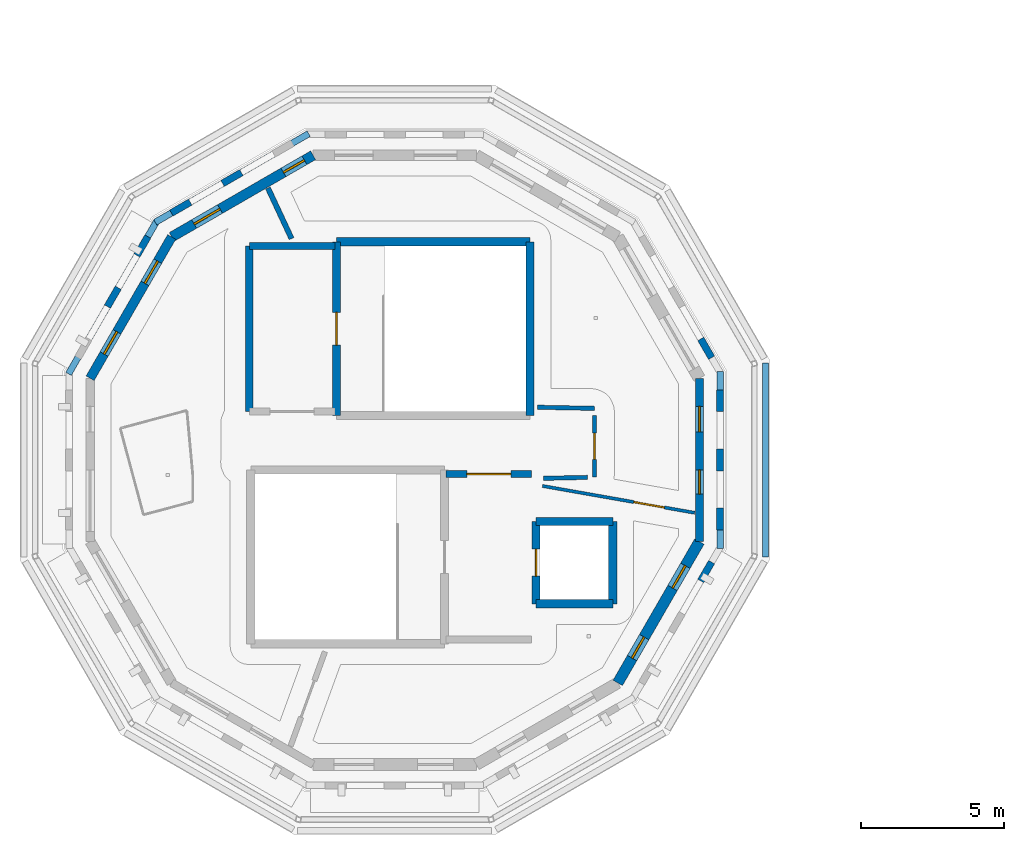
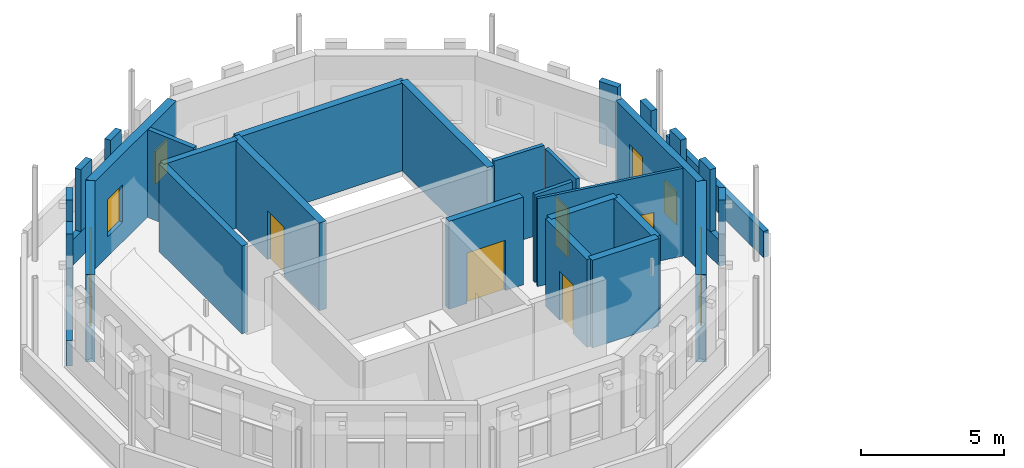
# One storey, part 37 of 51: 32 walls, 8 windows, 5 doors, 13 openings.
"""IFC4 building model written with IfcOpenShell, lengths in metres."""

from ifc_helpers import new_model, si_unit, direction, frame, frame_2d, origin, place, context, subcontext, project, spatial, rectangle, extrude, material, layer, layer_set, type_object, element, fill, save


model = new_model("IFC4")

# Units and contexts
model_context = context("Model", 3, precision=1e-05, world=origin(), true_north=direction((0.0, 1.0)))
body_context = subcontext(model_context, "Body", "Model", "MODEL_VIEW")
ifc_project = project(units=[si_unit("LENGTHUNIT", "METRE"), si_unit("AREAUNIT", "SQUARE_METRE"), si_unit("VOLUMEUNIT", "CUBIC_METRE"), si_unit("PLANEANGLEUNIT", "RADIAN"), si_unit("MASSUNIT", "GRAM", prefix="KILO")], contexts=[model_context])

# Site, building, storey
site_placement = place(None, origin())
site = spatial("IfcSite", under=ifc_project, at=site_placement, CompositionType="ELEMENT")
building_placement = place(site_placement, origin())
building = spatial("IfcBuilding", under=site, at=building_placement, Name="Wrenclough Park School", CompositionType="ELEMENT")
storey_placement = place(building_placement, frame((0.0, 0.0, 16.800048828125)))
storey = spatial("IfcBuildingStorey", under=building, at=storey_placement, Name="L04", CompositionType="ELEMENT", Elevation=16.800048828125)

# Walls
ifc_material_1 = material(Name="Perforated open-bond Staffordshire and Manchester brick screen pier", Category="masonry")
ifc_layer_1 = layer(ifc_material_1, 0.2451171875)
ifc_layer_set_1 = layer_set([ifc_layer_1], Name="Perforated open-bond Staffordshire and Manchester brick screen pier")
wall_type_1 = type_object("IfcWallType", Name="ENV-BS-PR245", PredefinedType="ELEMENTEDWALL", material=ifc_layer_set_1)
for number, where, z_axis, x_axis, name in (
    (1, (27.607666015625, 93.083251953125, 1.08984375), (0.0, 0.0, 1.0), (-0.500111695708, 0.865960906633, 0.0), "D3 L04 perforated brick screen pier 0884"),
    (2, (11.12353515625, 99.572265625, 1.08984375), (0.0, 0.0, 1.0), (-0.866100000774, -0.49987077196, 0.0), "D3 L04 perforated brick screen pier 0894"),
    (3, (9.330322265625, 98.537109375, 1.08984375), (0.0, 0.0, 1.0), (-0.865960906633, -0.500111695708, 0.0), "D3 L04 perforated brick screen pier 0895"),
    (4, (7.843017578125, 97.327880859375, 1.08984375), (0.0, 0.0, 1.0), (-0.500111695708, -0.865960906633, 0.0), "D3 L04 perforated brick screen pier 0896"),
    (5, (6.8076171875, 95.53466796875, 1.08984375), (0.0, 0.0, 1.0), (-0.49987077196, -0.866100000774, 0.0), "D3 L04 perforated brick screen pier 0897"),
    (6, (27.2275390625, 85.258544921875, 1.08984375), (0.0, 0.0, 1.0), (0.500111695708, 0.865960906633, 0.0), "D3 L04 perforated brick screen pier 0916"),
    (7, (27.9111328125, 87.049560546875, 1.08984375), (0.0, 0.0, 1.0), (0.0, 1.0, 0.0), "D3 L04 perforated brick screen pier 0917"),
):
    element("IfcWall", number, at=place(storey_placement, frame(where, z_axis=z_axis, x_axis=x_axis)), inside=storey, type_object=wall_type_1, Name=name, PredefinedType="ELEMENTEDWALL", context=body_context, shape_type="SweptSolid", body=[
        extrude(rectangle(XDim=0.760009765625, YDim=0.2451171875, at=frame_2d((0.3798828125, 0.0))), origin(), (0.0, 0.0, 1.0), 2.650146484375),
    ])
wall_1_placement = place(storey_placement, frame((27.9111328125, 89.1201171875, 1.08984375), z_axis=(0.0, 0.0, 1.0), x_axis=(0.0, 1.0, 0.0)))
element("IfcWall", 8, at=wall_1_placement, inside=storey, type_object=wall_type_1, Name="D3 L04 perforated brick screen pier 0918", PredefinedType="ELEMENTEDWALL", context=body_context, shape_type="SweptSolid", body=[
    extrude(rectangle(XDim=0.759765625, YDim=0.2451171875, at=frame_2d((0.3798828125, 0.0))), origin(), (0.0, 0.0, 1.0), 2.650146484375),
])
wall_2_placement = place(storey_placement, frame((27.9111328125, 91.1904296875, 1.08984375), z_axis=(0.0, 0.0, 1.0), x_axis=(0.0, 1.0, 0.0)))
element("IfcWall", 9, at=wall_2_placement, inside=storey, type_object=wall_type_1, Name="D3 L04 perforated brick screen pier 0919", PredefinedType="ELEMENTEDWALL", context=body_context, shape_type="SweptSolid", body=[
    extrude(rectangle(XDim=0.760009765625, YDim=0.2451171875, at=frame_2d((0.3798828125, 0.0))), origin(), (0.0, 0.0, 1.0), 2.650146484375),
])
ifc_material_2 = material(Name="Open-bond Manchester multi-stock brick spandrel screen", Category="masonry")
ifc_layer_2 = layer(ifc_material_2, 0.22509765625)
ifc_layer_set_2 = layer_set([ifc_layer_2], Name="Open-bond Manchester multi-stock brick spandrel screen")
wall_type_2 = type_object("IfcWallType", Name="ENV-BS-SP225", PredefinedType="ELEMENTEDWALL", material=ifc_layer_set_2)
for number, where, z_axis, x_axis, name in (
    (10, (13.484130859375, 100.935302734375, 0.0), (0.0, 0.0, 1.0), (-0.866014100123, -0.500019578005, 0.0), "D3 L04 open-bond brick screen spandrel 0243"),
    (11, (8.170654296875, 97.895263671875, 0.0), (0.0, 0.0, 1.0), (-0.500019578005, -0.866014100123, 0.0), "D3 L04 open-bond brick screen spandrel 0244"),
):
    element("IfcWall", number, at=place(storey_placement, frame(where, z_axis=z_axis, x_axis=x_axis)), inside=storey, type_object=wall_type_2, Name=name, PredefinedType="ELEMENTEDWALL", context=body_context, shape_type="SweptSolid", body=[
        extrude(rectangle(XDim=6.211669921875, YDim=0.22509765625, at=frame_2d((3.10595703125, 0.0))), origin(), (0.0, 0.0, 1.0), 1.08984375),
    ])
wall_3_placement = place(storey_placement, frame((27.9111328125, 86.394287109375, 0.0), z_axis=(0.0, 0.0, 1.0), x_axis=(0.0, 1.0, 0.0)))
element("IfcWall", 12, at=wall_3_placement, inside=storey, type_object=wall_type_2, Name="D3 L04 open-bond brick screen spandrel 0251", PredefinedType="ELEMENTEDWALL", context=body_context, shape_type="SweptSolid", body=[
    extrude(rectangle(XDim=6.21142578125, YDim=0.22509765625, at=frame_2d((3.105712890625, 0.0))), origin(), (0.0, 0.0, 1.0), 1.08984375),
])

# Wall, openings, windows
ifc_material_3 = material(Name="Link wing brick-faced cavity wall Concrete C32/40", Category="masonry")
ifc_layer_3 = layer(ifc_material_3, 0.27490234375)
ifc_layer_set_3 = layer_set([ifc_layer_3], Name="Link wing brick-faced cavity wall Concrete C32/40")
wall_type_3 = type_object("IfcWallType", Name="ENV-EW-275", PredefinedType="SOLIDWALL", material=ifc_layer_set_3)
wall_4_placement = place(storey_placement, frame((27.17919921875, 92.361572265625, 0.0), z_axis=(0.0, 0.0, 1.0), x_axis=(0.0, -1.0, 0.0)))
wall_4 = element("IfcWall", 13, at=wall_4_placement, inside=storey, type_object=wall_type_3, Name="L04 insulated brick external wall 0390", PredefinedType="SOLIDWALL", context=body_context, shape_type="SweptSolid", body=[
    extrude(rectangle(XDim=5.72314453125, YDim=0.27490234375, at=frame_2d((2.861572265625, 0.0))), origin(), (0.0, 0.0, 1.0), 3.739990234375),
])
opening_1_placement = place(wall_4_placement, frame((0.980712890625, 0.0, 0.85009765625)))
opening_1 = element("IfcOpeningElement", 14, at=opening_1_placement, cuts=wall_4, Name="Opening WN-13", PredefinedType="OPENING", context=body_context, shape_type="SweptSolid", body=[
    extrude(rectangle(XDim=0.89990234375, YDim=1.60009765625, at=frame_2d((0.449951171875, 0.800048828125))), frame((0.0, 0.1474609375, 0.0), z_axis=(0.0, -1.0, 0.0), x_axis=(1.0, 0.0, 0.0)), (0.0, 0.0, 1.0), 0.294921875),
])
opening_2_placement = place(wall_4_placement, frame((3.21142578125, 0.0, 0.85009765625)))
opening_2 = element("IfcOpeningElement", 15, at=opening_2_placement, cuts=wall_4, Name="Opening WN-01", PredefinedType="OPENING", context=body_context, shape_type="SweptSolid", body=[
    extrude(rectangle(XDim=0.85009765625, YDim=1.39990234375, at=frame_2d((0.425048828125, 0.699951171875))), frame((0.0, 0.1474609375, 0.0), z_axis=(0.0, -1.0, 0.0), x_axis=(1.0, 0.0, 0.0)), (0.0, 0.0, 1.0), 0.294921875),
])
ifc_material_4 = material(Name="Thermally broken aluminium and double-glazed low-e glass", Category="aluminium")
window_type_1 = type_object("IfcWindowType", Name="ENV-WN-01", PartitioningType="SINGLE_PANEL", PredefinedType="WINDOW", material=ifc_material_4)
window_1_placement = place(opening_2_placement, origin())
window_1 = element("IfcWindow", 16, at=window_1_placement, inside=storey, type_object=window_type_1, Name="L04 scheduled facade window 0638", OverallHeight=1.39990234375, OverallWidth=0.85009765625, PartitioningType="SINGLE_PANEL", PredefinedType="WINDOW", context=body_context, shape_type="SweptSolid", body=[
    extrude(rectangle(XDim=0.85009765625, YDim=1.39990234375, at=frame_2d((0.425048828125, 0.699951171875))), frame((0.0, 0.030029296875, 0.0), z_axis=(0.0, -1.0, 0.0), x_axis=(1.0, 0.0, 0.0)), (0.0, 0.0, 1.0), 0.06005859375),
])
fill(opening_2, window_1)
window_type_2 = type_object("IfcWindowType", Name="ENV-WN-13", PartitioningType="SINGLE_PANEL", PredefinedType="WINDOW", material=ifc_material_4)
window_2_placement = place(opening_1_placement, origin())
window_2 = element("IfcWindow", 17, at=window_2_placement, inside=storey, type_object=window_type_2, Name="L04 scheduled facade window 0637", OverallHeight=1.60009765625, OverallWidth=0.89990234375, PartitioningType="SINGLE_PANEL", PredefinedType="WINDOW", context=body_context, shape_type="SweptSolid", body=[
    extrude(rectangle(XDim=0.89990234375, YDim=1.60009765625, at=frame_2d((0.449951171875, 0.800048828125))), frame((0.0, 0.030029296875, 0.0), z_axis=(0.0, -1.0, 0.0), x_axis=(1.0, 0.0, 0.0)), (0.0, 0.0, 1.0), 0.06005859375),
])
fill(opening_1, window_2)

ifc_material_5 = material(Name="Manchester multi-stock brick and Concrete C32/40 inner leaf", Category="masonry")
ifc_layer_4 = layer(ifc_material_5, 0.324951171875)
ifc_layer_set_4 = layer_set([ifc_layer_4], Name="Manchester multi-stock brick and Concrete C32/40 inner leaf")
wall_type_4 = type_object("IfcWallType", Name="ENV-EW-325", PredefinedType="SOLIDWALL", material=ifc_layer_set_4)
wall_5_placement = place(storey_placement, frame((5.82080078125, 92.361572265625, 0.0), z_axis=(0.0, 0.0, 1.0), x_axis=(0.500025261348, 0.866010818647, 0.0)))
wall_5 = element("IfcWall", 18, at=wall_5_placement, inside=storey, type_object=wall_type_4, Name="L04 insulated brick external wall 0385", PredefinedType="SOLIDWALL", context=body_context, shape_type="SweptSolid", body=[
    extrude(rectangle(XDim=5.722900390625, YDim=0.324951171875, at=frame_2d((2.861328125, 0.0))), origin(), (0.0, 0.0, 1.0), 3.739990234375),
])
opening_3_placement = place(wall_5_placement, frame((0.980712890625, 0.0, 0.85009765625)))
opening_3 = element("IfcOpeningElement", 19, at=opening_3_placement, cuts=wall_5, Name="Opening WN-13", PredefinedType="OPENING", context=body_context, shape_type="SweptSolid", body=[
    extrude(rectangle(XDim=0.89990234375, YDim=1.60009765625, at=frame_2d((0.449951171875, 0.800048828125))), frame((0.0, 0.17236328125, 0.0), z_axis=(0.0, -1.0, 0.0), x_axis=(1.0, 0.0, 0.0)), (0.0, 0.0, 1.0), 0.344970703125),
])
opening_4_placement = place(wall_5_placement, frame((3.84228515625, 0.0, 0.85009765625)))
opening_4 = element("IfcOpeningElement", 20, at=opening_4_placement, cuts=wall_5, Name="Opening WN-13", PredefinedType="OPENING", context=body_context, shape_type="SweptSolid", body=[
    extrude(rectangle(XDim=0.89990234375, YDim=1.60009765625, at=frame_2d((0.449951171875, 0.800048828125))), frame((0.0, 0.17236328125, 0.0), z_axis=(0.0, -1.0, 0.0), x_axis=(1.0, 0.0, 0.0)), (0.0, 0.0, 1.0), 0.344970703125),
])
window_3_placement = place(opening_3_placement, origin())
window_3 = element("IfcWindow", 21, at=window_3_placement, inside=storey, type_object=window_type_2, Name="L04 scheduled facade window 0627", OverallHeight=1.60009765625, OverallWidth=0.89990234375, PartitioningType="SINGLE_PANEL", PredefinedType="WINDOW", context=body_context, shape_type="SweptSolid", body=[
    extrude(rectangle(XDim=0.89990234375, YDim=1.60009765625, at=frame_2d((0.449951171875, 0.800048828125))), frame((0.0, 0.030029296875, 0.0), z_axis=(0.0, -1.0, 0.0), x_axis=(1.0, 0.0, 0.0)), (0.0, 0.0, 1.0), 0.06005859375),
])
fill(opening_3, window_3)
window_4_placement = place(opening_4_placement, origin())
window_4 = element("IfcWindow", 22, at=window_4_placement, inside=storey, type_object=window_type_2, Name="L04 scheduled facade window 0628", OverallHeight=1.60009765625, OverallWidth=0.89990234375, PartitioningType="SINGLE_PANEL", PredefinedType="WINDOW", context=body_context, shape_type="SweptSolid", body=[
    extrude(rectangle(XDim=0.89990234375, YDim=1.60009765625, at=frame_2d((0.449951171875, 0.800048828125))), frame((0.0, 0.030029296875, 0.0), z_axis=(0.0, -1.0, 0.0), x_axis=(1.0, 0.0, 0.0)), (0.0, 0.0, 1.0), 0.06005859375),
])
fill(opening_4, window_4)

ifc_material_6 = material(Name="Staffordshire blue-grey brick and Concrete C35/45 inner leaf", Category="masonry")
ifc_layer_5 = layer(ifc_material_6, 0.35009765625)
ifc_layer_set_5 = layer_set([ifc_layer_5], Name="Staffordshire blue-grey brick and Concrete C35/45 inner leaf")
wall_type_5 = type_object("IfcWallType", Name="ENV-EW-350", PredefinedType="SOLIDWALL", material=ifc_layer_set_5)
wall_6_placement = place(storey_placement, frame((8.682373046875, 97.317626953125, 0.0), z_axis=(0.0, 0.0, 1.0), x_axis=(0.866010818647, 0.500025261348, 0.0)))
wall_6 = element("IfcWall", 23, at=wall_6_placement, inside=storey, type_object=wall_type_5, Name="L04 insulated brick external wall 0386", PredefinedType="SOLIDWALL", context=body_context, shape_type="SweptSolid", body=[
    extrude(rectangle(XDim=5.722900390625, YDim=0.35009765625, at=frame_2d((2.861328125, 0.0))), origin(), (0.0, 0.0, 1.0), 3.739990234375),
])
opening_5_placement = place(wall_6_placement, frame((0.90576171875, 0.0, 0.85009765625)))
opening_5 = element("IfcOpeningElement", 24, at=opening_5_placement, cuts=wall_6, Name="Opening WN-14", PredefinedType="OPENING", context=body_context, shape_type="SweptSolid", body=[
    extrude(rectangle(XDim=1.050048828125, YDim=1.60009765625, at=frame_2d((0.52490234375, 0.800048828125))), frame((0.0, 0.18505859375, 0.0), z_axis=(0.0, -1.0, 0.0), x_axis=(1.0, 0.0, 0.0)), (0.0, 0.0, 1.0), 0.3701171875),
])
opening_6_placement = place(wall_6_placement, frame((4.52294921875, 0.0, 0.85009765625)))
opening_6 = element("IfcOpeningElement", 25, at=opening_6_placement, cuts=wall_6, Name="Opening WN-01", PredefinedType="OPENING", context=body_context, shape_type="SweptSolid", body=[
    extrude(rectangle(XDim=0.85009765625, YDim=1.39990234375, at=frame_2d((0.425048828125, 0.699951171875))), frame((0.0, 0.18505859375, 0.0), z_axis=(0.0, -1.0, 0.0), x_axis=(1.0, 0.0, 0.0)), (0.0, 0.0, 1.0), 0.3701171875),
])
window_5_placement = place(opening_6_placement, origin())
window_5 = element("IfcWindow", 26, at=window_5_placement, inside=storey, type_object=window_type_1, Name="L04 scheduled facade window 0630", OverallHeight=1.39990234375, OverallWidth=0.85009765625, PartitioningType="SINGLE_PANEL", PredefinedType="WINDOW", context=body_context, shape_type="SweptSolid", body=[
    extrude(rectangle(XDim=0.85009765625, YDim=1.39990234375, at=frame_2d((0.425048828125, 0.699951171875))), frame((0.0, 0.030029296875, 0.0), z_axis=(0.0, -1.0, 0.0), x_axis=(1.0, 0.0, 0.0)), (0.0, 0.0, 1.0), 0.06005859375),
])
fill(opening_6, window_5)
window_type_3 = type_object("IfcWindowType", Name="ENV-WN-14", PartitioningType="SINGLE_PANEL", PredefinedType="WINDOW", material=ifc_material_4)
window_6_placement = place(opening_5_placement, origin())
window_6 = element("IfcWindow", 27, at=window_6_placement, inside=storey, type_object=window_type_3, Name="L04 scheduled facade window 0629", OverallHeight=1.60009765625, OverallWidth=1.050048828125, PartitioningType="SINGLE_PANEL", PredefinedType="WINDOW", context=body_context, shape_type="SweptSolid", body=[
    extrude(rectangle(XDim=1.050048828125, YDim=1.60009765625, at=frame_2d((0.52490234375, 0.800048828125))), frame((0.0, 0.030029296875, 0.0), z_axis=(0.0, -1.0, 0.0), x_axis=(1.0, 0.0, 0.0)), (0.0, 0.0, 1.0), 0.06005859375),
])
fill(opening_5, window_6)

ifc_material_7 = material(Name="Manchester multi-stock brick and Concrete C35/45 inner leaf", Category="masonry")
ifc_layer_6 = layer(ifc_material_7, 0.3798828125)
ifc_layer_set_6 = layer_set([ifc_layer_6], Name="Manchester multi-stock brick and Concrete C35/45 inner leaf")
wall_type_6 = type_object("IfcWallType", Name="ENV-EW-380", PredefinedType="SOLIDWALL", material=ifc_layer_set_6)
wall_7_placement = place(storey_placement, frame((27.17919921875, 86.638427734375, 0.0), z_axis=(0.0, 0.0, 1.0), x_axis=(-0.500025261348, -0.866010818647, 0.0)))
wall_7 = element("IfcWall", 28, at=wall_7_placement, inside=storey, type_object=wall_type_6, Name="L04 insulated brick external wall 0379", PredefinedType="SOLIDWALL", context=body_context, shape_type="SweptSolid", body=[
    extrude(rectangle(XDim=5.722900390625, YDim=0.3798828125, at=frame_2d((2.861328125, 0.0))), origin(), (0.0, 0.0, 1.0), 3.739990234375),
])
opening_7_placement = place(wall_7_placement, frame((0.980712890625, 0.0, 0.85009765625)))
opening_7 = element("IfcOpeningElement", 29, at=opening_7_placement, cuts=wall_7, Name="Opening WN-13", PredefinedType="OPENING", context=body_context, shape_type="SweptSolid", body=[
    extrude(rectangle(XDim=0.89990234375, YDim=1.60009765625, at=frame_2d((0.449951171875, 0.800048828125))), frame((0.0, 0.199951171875, 0.0), z_axis=(0.0, -1.0, 0.0), x_axis=(1.0, 0.0, 0.0)), (0.0, 0.0, 1.0), 0.39990234375),
])
opening_8_placement = place(wall_7_placement, frame((3.8671875, 0.0, 0.85009765625)))
opening_8 = element("IfcOpeningElement", 30, at=opening_8_placement, cuts=wall_7, Name="Opening WN-01", PredefinedType="OPENING", context=body_context, shape_type="SweptSolid", body=[
    extrude(rectangle(XDim=0.85009765625, YDim=1.39990234375, at=frame_2d((0.425048828125, 0.699951171875))), frame((0.0, 0.199951171875, 0.0), z_axis=(0.0, -1.0, 0.0), x_axis=(1.0, 0.0, 0.0)), (0.0, 0.0, 1.0), 0.39990234375),
])
window_7_placement = place(opening_8_placement, origin())
window_7 = element("IfcWindow", 31, at=window_7_placement, inside=storey, type_object=window_type_1, Name="L04 scheduled facade window 0616", OverallHeight=1.39990234375, OverallWidth=0.85009765625, PartitioningType="SINGLE_PANEL", PredefinedType="WINDOW", context=body_context, shape_type="SweptSolid", body=[
    extrude(rectangle(XDim=0.85009765625, YDim=1.39990234375, at=frame_2d((0.425048828125, 0.699951171875))), frame((0.0, 0.030029296875, 0.0), z_axis=(0.0, -1.0, 0.0), x_axis=(1.0, 0.0, 0.0)), (0.0, 0.0, 1.0), 0.06005859375),
])
fill(opening_8, window_7)
window_8_placement = place(opening_7_placement, origin())
window_8 = element("IfcWindow", 32, at=window_8_placement, inside=storey, type_object=window_type_2, Name="L04 scheduled facade window 0615", OverallHeight=1.60009765625, OverallWidth=0.89990234375, PartitioningType="SINGLE_PANEL", PredefinedType="WINDOW", context=body_context, shape_type="SweptSolid", body=[
    extrude(rectangle(XDim=0.89990234375, YDim=1.60009765625, at=frame_2d((0.449951171875, 0.800048828125))), frame((0.0, 0.030029296875, 0.0), z_axis=(0.0, -1.0, 0.0), x_axis=(1.0, 0.0, 0.0)), (0.0, 0.0, 1.0), 0.06005859375),
])
fill(opening_7, window_8)

# Wall
ifc_material_8 = material(Name="Capped Staffordshire blue-grey brick parapet", Category="masonry")
ifc_layer_7 = layer(ifc_material_8, 0.215087890625)
ifc_layer_set_7 = layer_set([ifc_layer_7], Name="Capped Staffordshire blue-grey brick parapet")
wall_type_7 = type_object("IfcWallType", Name="ENV-PW-215", PredefinedType="PARAPET", material=ifc_layer_set_7)
wall_8_placement = place(storey_placement, frame((29.4990234375, 86.10009765625, 0.0), z_axis=(0.0, 0.0, 1.0), x_axis=(0.0, 1.0, 0.0)))
element("IfcWall", 33, at=wall_8_placement, inside=storey, type_object=wall_type_7, Name="D3-STEP-ROOF cylindrical drum parapet wall 042", PredefinedType="PARAPET", context=body_context, shape_type="SweptSolid", body=[
    extrude(rectangle(XDim=6.7998046875, YDim=0.215087890625, at=frame_2d((3.39990234375, 0.0))), origin(), (0.0, 0.0, 1.0), 1.119873046875),
])

# Wall, opening, door
ifc_material_9 = material(Name="Concrete C35/45", Category="concrete")
ifc_layer_8 = layer(ifc_material_9, 0.25)
ifc_layer_set_8 = layer_set([ifc_layer_8], Name="Concrete C35/45")
wall_type_8 = type_object("IfcWallType", Name="INT-CW-250", PredefinedType="SHEAR", material=ifc_layer_set_8)
wall_9_placement = place(storey_placement, frame((21.300048828125, 89.0, 0.0), z_axis=(0.0, 0.0, 1.0), x_axis=(-1.0, 0.0, 0.0)))
wall_9 = element("IfcWall", 34, at=wall_9_placement, inside=storey, type_object=wall_type_8, Name="Core C3 L04 lobby fire wall north", PredefinedType="SHEAR", context=body_context, shape_type="SweptSolid", body=[
    extrude(rectangle(XDim=3.0, YDim=0.25, at=frame_2d((1.5, 0.0))), origin(), (0.0, 0.0, 1.0), 3.75),
])
opening_9_placement = place(wall_9_placement, frame((0.72509765625, 0.0, 0.0)))
opening_9 = element("IfcOpeningElement", 35, at=opening_9_placement, cuts=wall_9, Name="Opening DLB-C3-L04", PredefinedType="OPENING", context=body_context, shape_type="SweptSolid", body=[
    extrude(rectangle(XDim=1.550048828125, YDim=2.14990234375, at=frame_2d((0.77490234375, 1.074951171875))), frame((0.0, 0.135009765625, 0.0), z_axis=(0.0, -1.0, 0.0), x_axis=(1.0, 0.0, 0.0)), (0.0, 0.0, 1.0), 0.27001953125),
])
ifc_material_10 = material(Name="Protected stair lobby double fire door assembly", Category="wood")
door_type_1 = type_object("IfcDoorType", Name="INT-DR-LB155", OperationType="NOTDEFINED", PredefinedType="DOOR", material=ifc_material_10)
door_1_placement = place(opening_9_placement, origin())
door_1 = element("IfcDoor", 36, at=door_1_placement, inside=storey, type_object=door_type_1, Name="Core C3 L04 protected lobby fire door", OperationType="DOUBLE_DOOR_SINGLE_SWING", OverallHeight=2.14990234375, OverallWidth=1.550048828125, PredefinedType="DOOR", context=body_context, shape_type="SweptSolid", body=[
    extrude(rectangle(XDim=1.550048828125, YDim=2.14990234375, at=frame_2d((0.77490234375, 1.074951171875))), frame((0.0, 0.02490234375, 0.0), z_axis=(0.0, -1.0, 0.0), x_axis=(1.0, 0.0, 0.0)), (0.0, 0.0, 1.0), 0.050048828125),
])
fill(opening_9, door_1)

# Walls
wall_10_placement = place(storey_placement, frame((14.39990234375, 97.0, 0.0), z_axis=(0.0, 0.0, 1.0), x_axis=(-1.0, 0.0, 0.0)))
element("IfcWall", 37, at=wall_10_placement, inside=storey, type_object=wall_type_8, Name="Core C3B L04 lobby fire wall north", PredefinedType="SHEAR", context=body_context, shape_type="SweptSolid", body=[
    extrude(rectangle(XDim=3.0, YDim=0.25, at=frame_2d((1.5, 0.0))), origin(), (0.0, 0.0, 1.0), 3.75),
])
wall_11_placement = place(storey_placement, frame((11.39990234375, 97.0, 0.0), z_axis=(0.0, 0.0, 1.0), x_axis=(0.0, -1.0, 0.0)))
element("IfcWall", 38, at=wall_11_placement, inside=storey, type_object=wall_type_8, Name="Core C3B L04 lobby fire wall west", PredefinedType="SHEAR", context=body_context, shape_type="SweptSolid", body=[
    extrude(rectangle(XDim=5.800048828125, YDim=0.25, at=frame_2d((2.89990234375, 0.0))), origin(), (0.0, 0.0, 1.0), 3.75),
])
ifc_material_11 = material(Name="Concrete C40/50", Category="concrete")
ifc_layer_9 = layer(ifc_material_11, 0.2900390625)
ifc_layer_set_9 = layer_set([ifc_layer_9], Name="Concrete C40/50")
wall_type_9 = type_object("IfcWallType", Name="INT-CW-290", PredefinedType="SHEAR", material=ifc_layer_set_9)
wall_12_placement = place(storey_placement, frame((21.455078125, 84.455078125, 0.0), z_axis=(0.0, 0.0, 1.0), x_axis=(1.0, 0.0, 0.0)))
element("IfcWall", 39, at=wall_12_placement, inside=storey, type_object=wall_type_9, Name="Lift LFT-05 L04 south shaft wall", PredefinedType="SHEAR", context=body_context, shape_type="SweptSolid", body=[
    extrude(rectangle(XDim=2.68994140625, YDim=0.2900390625, at=frame_2d((1.344970703125, 0.0))), origin(), (0.0, 0.0, 1.0), 3.75),
])
wall_13_placement = place(storey_placement, frame((24.14501953125, 84.455078125, 0.0), z_axis=(0.0, 0.0, 1.0), x_axis=(0.0, 1.0, 0.0)))
element("IfcWall", 40, at=wall_13_placement, inside=storey, type_object=wall_type_9, Name="Lift LFT-05 L04 east shaft wall", PredefinedType="SHEAR", context=body_context, shape_type="SweptSolid", body=[
    extrude(rectangle(XDim=2.889892578125, YDim=0.2900390625, at=frame_2d((1.44482421875, 0.0))), origin(), (0.0, 0.0, 1.0), 3.75),
])
wall_14_placement = place(storey_placement, frame((24.14501953125, 87.344970703125, 0.0), z_axis=(0.0, 0.0, 1.0), x_axis=(-1.0, 0.0, 0.0)))
element("IfcWall", 41, at=wall_14_placement, inside=storey, type_object=wall_type_9, Name="Lift LFT-05 L04 north shaft wall", PredefinedType="SHEAR", context=body_context, shape_type="SweptSolid", body=[
    extrude(rectangle(XDim=2.68994140625, YDim=0.2900390625, at=frame_2d((1.344970703125, 0.0))), origin(), (0.0, 0.0, 1.0), 3.75),
])

# Wall, opening, door
wall_15_placement = place(storey_placement, frame((21.455078125, 87.344970703125, 0.0), z_axis=(0.0, 0.0, 1.0), x_axis=(0.0, -1.0, 0.0)))
wall_15 = element("IfcWall", 42, at=wall_15_placement, inside=storey, type_object=wall_type_9, Name="Lift LFT-05 L04 west shaft wall", PredefinedType="SHEAR", context=body_context, shape_type="SweptSolid", body=[
    extrude(rectangle(XDim=2.889892578125, YDim=0.2900390625, at=frame_2d((1.44482421875, 0.0))), origin(), (0.0, 0.0, 1.0), 3.75),
])
opening_10_placement = place(wall_15_placement, frame((0.969970703125, 0.0, 0.0)))
opening_10 = element("IfcOpeningElement", 43, at=opening_10_placement, cuts=wall_15, Name="Opening LD-05-L04", PredefinedType="OPENING", context=body_context, shape_type="SweptSolid", body=[
    extrude(rectangle(XDim=0.949951171875, YDim=2.10009765625, at=frame_2d((0.47509765625, 1.050048828125))), frame((0.0, 0.155029296875, 0.0), z_axis=(0.0, -1.0, 0.0), x_axis=(1.0, 0.0, 0.0)), (0.0, 0.0, 1.0), 0.31005859375),
])
ifc_material_12 = material(Name="Brushed stainless steel", Category="steel")
door_type_2 = type_object("IfcDoorType", Name="INT-DR-LD095", OperationType="NOTDEFINED", PredefinedType="DOOR", material=ifc_material_12)
door_2_placement = place(opening_10_placement, frame((0.949951171875, 0.0, 0.0), z_axis=(0.0, 0.0, 1.0), x_axis=(-1.0, 0.0, 0.0)))
door_2 = element("IfcDoor", 44, at=door_2_placement, inside=storey, type_object=door_type_2, Name="Lift LFT-05 L04 sliding landing door", OperationType="SLIDING_TO_LEFT", OverallHeight=2.10009765625, OverallWidth=0.949951171875, PredefinedType="DOOR", context=body_context, shape_type="SweptSolid", body=[
    extrude(rectangle(XDim=0.949951171875, YDim=2.10009765625, at=frame_2d((0.47509765625, 1.050048828125))), frame((0.0, 0.02490234375, 0.0), z_axis=(0.0, -1.0, 0.0), x_axis=(1.0, 0.0, 0.0)), (0.0, 0.0, 1.0), 0.050048828125),
])
fill(opening_10, door_2)

# Walls
wall_16_placement = place(storey_placement, frame((21.2451171875, 91.054931640625, 0.0), z_axis=(0.0, 0.0, 1.0), x_axis=(0.0, 1.0, 0.0)))
element("IfcWall", 45, at=wall_16_placement, inside=storey, type_object=wall_type_9, Name="Core C3B L04 east shear wall", PredefinedType="SHEAR", context=body_context, shape_type="SweptSolid", body=[
    extrude(rectangle(XDim=6.090087890625, YDim=0.2900390625, at=frame_2d((3.044921875, 0.0))), origin(), (0.0, 0.0, 1.0), 3.75),
])
wall_17_placement = place(storey_placement, frame((21.2451171875, 97.14501953125, 0.0), z_axis=(0.0, 0.0, 1.0), x_axis=(-1.0, 0.0, 0.0)))
element("IfcWall", 46, at=wall_17_placement, inside=storey, type_object=wall_type_9, Name="Core C3B L04 north shear wall", PredefinedType="SHEAR", context=body_context, shape_type="SweptSolid", body=[
    extrude(rectangle(XDim=6.7900390625, YDim=0.2900390625, at=frame_2d((3.39501953125, 0.0))), origin(), (0.0, 0.0, 1.0), 3.75),
])

# Wall, opening, door
wall_18_placement = place(storey_placement, frame((14.455078125, 97.14501953125, 0.0), z_axis=(0.0, 0.0, 1.0), x_axis=(0.0, -1.0, 0.0)))
wall_18 = element("IfcWall", 47, at=wall_18_placement, inside=storey, type_object=wall_type_9, Name="Core C3B L04 west shear wall", PredefinedType="SHEAR", context=body_context, shape_type="SweptSolid", body=[
    extrude(rectangle(XDim=6.090087890625, YDim=0.2900390625, at=frame_2d((3.044921875, 0.0))), origin(), (0.0, 0.0, 1.0), 3.75),
])
opening_11_placement = place(wall_18_placement, frame((2.469970703125, 0.0, 0.0)))
opening_11 = element("IfcOpeningElement", 48, at=opening_11_placement, cuts=wall_18, Name="Opening DST-C3B-L04", PredefinedType="OPENING", context=body_context, shape_type="SweptSolid", body=[
    extrude(rectangle(XDim=1.14990234375, YDim=2.10009765625, at=frame_2d((0.574951171875, 1.050048828125))), frame((0.0, 0.155029296875, 0.0), z_axis=(0.0, -1.0, 0.0), x_axis=(1.0, 0.0, 0.0)), (0.0, 0.0, 1.0), 0.31005859375),
])
ifc_material_13 = material(Name="Protected escape stair single fire door assembly", Category="wood")
door_type_3 = type_object("IfcDoorType", Name="INT-DR-ST115", OperationType="NOTDEFINED", PredefinedType="DOOR", material=ifc_material_13)
door_3_placement = place(opening_11_placement, origin())
door_3 = element("IfcDoor", 49, at=door_3_placement, inside=storey, type_object=door_type_3, Name="Stair ST-07 L04 fire door", OperationType="SINGLE_SWING_LEFT", OverallHeight=2.10009765625, OverallWidth=1.14990234375, PredefinedType="DOOR", context=body_context, shape_type="SweptSolid", body=[
    extrude(rectangle(XDim=1.14990234375, YDim=2.10009765625, at=frame_2d((0.574951171875, 1.050048828125))), frame((0.0, 0.02490234375, 0.0), z_axis=(0.0, -1.0, 0.0), x_axis=(1.0, 0.0, 0.0)), (0.0, 0.0, 1.0), 0.050048828125),
])
fill(opening_11, door_3)

ifc_material_14 = material(Name="Lightweight fire-rated store partition", Category="gypsum")
ifc_layer_10 = layer(ifc_material_14, 0.110107421875)
ifc_layer_set_10 = layer_set([ifc_layer_10], Name="Lightweight fire-rated store partition")
wall_type_10 = type_object("IfcWallType", Name="INT-PW-110", PredefinedType="PARTITIONING", material=ifc_layer_set_10)
wall_19_placement = place(storey_placement, frame((27.0166015625, 87.6455078125, 0.0), z_axis=(0.0, 0.0, 1.0), x_axis=(-0.984801691235, 0.173682552205, 0.0)))
wall_19 = element("IfcWall", 50, at=wall_19_placement, inside=storey, type_object=wall_type_10, Name="L04 internal partition 0494", PredefinedType="PARTITIONING", context=body_context, shape_type="SweptSolid", body=[
    extrude(rectangle(XDim=5.420166015625, YDim=0.110107421875, at=frame_2d((2.7099609375, 0.0))), origin(), (0.0, 0.0, 1.0), 3.75),
])
opening_12_placement = place(wall_19_placement, frame((1.085205078125, 0.0, 0.0)))
opening_12 = element("IfcOpeningElement", 51, at=opening_12_placement, cuts=wall_19, Name="Opening DR-L04-105", PredefinedType="OPENING", context=body_context, shape_type="SweptSolid", body=[
    extrude(rectangle(XDim=1.080078125, YDim=2.1201171875, at=frame_2d((0.5400390625, 1.06005859375))), frame((0.0, 0.06494140625, 0.0), z_axis=(0.0, -1.0, 0.0), x_axis=(1.0, 0.0, 0.0)), (0.0, 0.0, 1.0), 0.130126953125),
])
ifc_material_15 = material(Name="Sixth-form seminar room door assembly", Category="wood")
door_type_4 = type_object("IfcDoorType", Name="INT-DR-CL108", OperationType="NOTDEFINED", PredefinedType="DOOR", material=ifc_material_15)
door_4_placement = place(opening_12_placement, origin())
door_4 = element("IfcDoor", 52, at=door_4_placement, inside=storey, type_object=door_type_4, Name="Product Design Seminar Classroom door DR-L04-105", OperationType="SINGLE_SWING_RIGHT", OverallHeight=2.1201171875, OverallWidth=1.080078125, PredefinedType="DOOR", context=body_context, shape_type="SweptSolid", body=[
    extrude(rectangle(XDim=1.080078125, YDim=2.1201171875, at=frame_2d((0.5400390625, 1.06005859375))), frame((0.0, 0.02490234375, 0.0), z_axis=(0.0, -1.0, 0.0), x_axis=(1.0, 0.0, 0.0)), (0.0, 0.0, 1.0), 0.050048828125),
])
fill(opening_12, door_4)

# Wall
ifc_material_16 = material(Name="Protected corridor partition", Category="gypsum")
ifc_layer_11 = layer(ifc_material_16, 0.14990234375)
ifc_layer_set_11 = layer_set([ifc_layer_11], Name="Protected corridor partition")
wall_type_11 = type_object("IfcWallType", Name="INT-PW-150", PredefinedType="PARTITIONING", material=ifc_layer_set_11)
wall_20_placement = place(storey_placement, frame((21.5048828125, 91.346435546875, 0.0), z_axis=(0.0, 0.0, 1.0), x_axis=(0.999797466873, -0.02012523875, 0.0)))
element("IfcWall", 53, at=wall_20_placement, inside=storey, type_object=wall_type_11, Name="L04 internal partition 0495", PredefinedType="PARTITIONING", context=body_context, shape_type="SweptSolid", body=[
    extrude(rectangle(XDim=2.001708984375, YDim=0.14990234375, at=frame_2d((1.0009765625, 0.0))), origin(), (0.0, 0.0, 1.0), 3.75),
])

# Wall, opening, door
wall_21_placement = place(storey_placement, frame((23.506103515625, 91.056396484375, 0.0), z_axis=(0.0, 0.0, 1.0), x_axis=(0.0, -1.0, 0.0)))
wall_21 = element("IfcWall", 54, at=wall_21_placement, inside=storey, type_object=wall_type_11, Name="L04 internal partition 0496", PredefinedType="PARTITIONING", context=body_context, shape_type="SweptSolid", body=[
    extrude(rectangle(XDim=2.16259765625, YDim=0.14990234375, at=frame_2d((1.081298828125, 0.0))), origin(), (0.0, 0.0, 1.0), 3.75),
])
opening_13_placement = place(wall_21_placement, frame((0.62109375, 0.0, 0.0)))
opening_13 = element("IfcOpeningElement", 55, at=opening_13_placement, cuts=wall_21, Name="Opening DR-L04-106", PredefinedType="OPENING", context=body_context, shape_type="SweptSolid", body=[
    extrude(rectangle(XDim=0.919921875, YDim=2.080078125, at=frame_2d((0.4599609375, 1.0400390625))), frame((0.0, 0.0849609375, 0.0), z_axis=(0.0, -1.0, 0.0), x_axis=(1.0, 0.0, 0.0)), (0.0, 0.0, 1.0), 0.169921875),
])
ifc_material_17 = material(Name="Acoustic classroom single leaf vision door assembly", Category="wood")
door_type_5 = type_object("IfcDoorType", Name="INT-DR-CL092", OperationType="NOTDEFINED", PredefinedType="DOOR", material=ifc_material_17)
door_5_placement = place(opening_13_placement, origin())
door_5 = element("IfcDoor", 56, at=door_5_placement, inside=storey, type_object=door_type_5, Name="Makerspace Design Studio door DR-L04-106", OperationType="SINGLE_SWING_LEFT", OverallHeight=2.080078125, OverallWidth=0.919921875, PredefinedType="DOOR", context=body_context, shape_type="SweptSolid", body=[
    extrude(rectangle(XDim=0.919921875, YDim=2.080078125, at=frame_2d((0.4599609375, 1.0400390625))), frame((0.0, 0.02490234375, 0.0), z_axis=(0.0, -1.0, 0.0), x_axis=(1.0, 0.0, 0.0)), (0.0, 0.0, 1.0), 0.050048828125),
])
fill(opening_13, door_5)

# Walls
wall_22_placement = place(storey_placement, frame((23.25634765625, 88.88818359375, 0.0), z_axis=(0.0, 0.0, 1.0), x_axis=(-0.999753334412, -0.022209690069, 0.0)))
element("IfcWall", 57, at=wall_22_placement, inside=storey, type_object=wall_type_11, Name="L04 internal partition 0497", PredefinedType="PARTITIONING", context=body_context, shape_type="SweptSolid", body=[
    extrude(rectangle(XDim=1.5390625, YDim=0.14990234375, at=frame_2d((0.76953125, 0.0))), origin(), (0.0, 0.0, 1.0), 3.75),
])
ifc_material_18 = material(Name="Laboratory fire and acoustic partition", Category="gypsum")
ifc_layer_12 = layer(ifc_material_18, 0.18505859375)
ifc_layer_set_12 = layer_set([ifc_layer_12], Name="Laboratory fire and acoustic partition")
wall_type_12 = type_object("IfcWallType", Name="INT-PW-185", PredefinedType="PARTITIONING", material=ifc_layer_set_12)
wall_23_placement = place(storey_placement, frame((12.882568359375, 97.257568359375, 0.0), z_axis=(0.0, 0.0, 1.0), x_axis=(-0.422578535487, 0.906326310633, 0.0)))
element("IfcWall", 58, at=wall_23_placement, inside=storey, type_object=wall_type_12, Name="L04 internal partition 0492", PredefinedType="PARTITIONING", context=body_context, shape_type="SweptSolid", body=[
    extrude(rectangle(XDim=1.959716796875, YDim=0.18505859375, at=frame_2d((0.97998046875, 0.0))), origin(), (0.0, 0.0, 1.0), 3.75),
])

save(model, "model.ifc")
